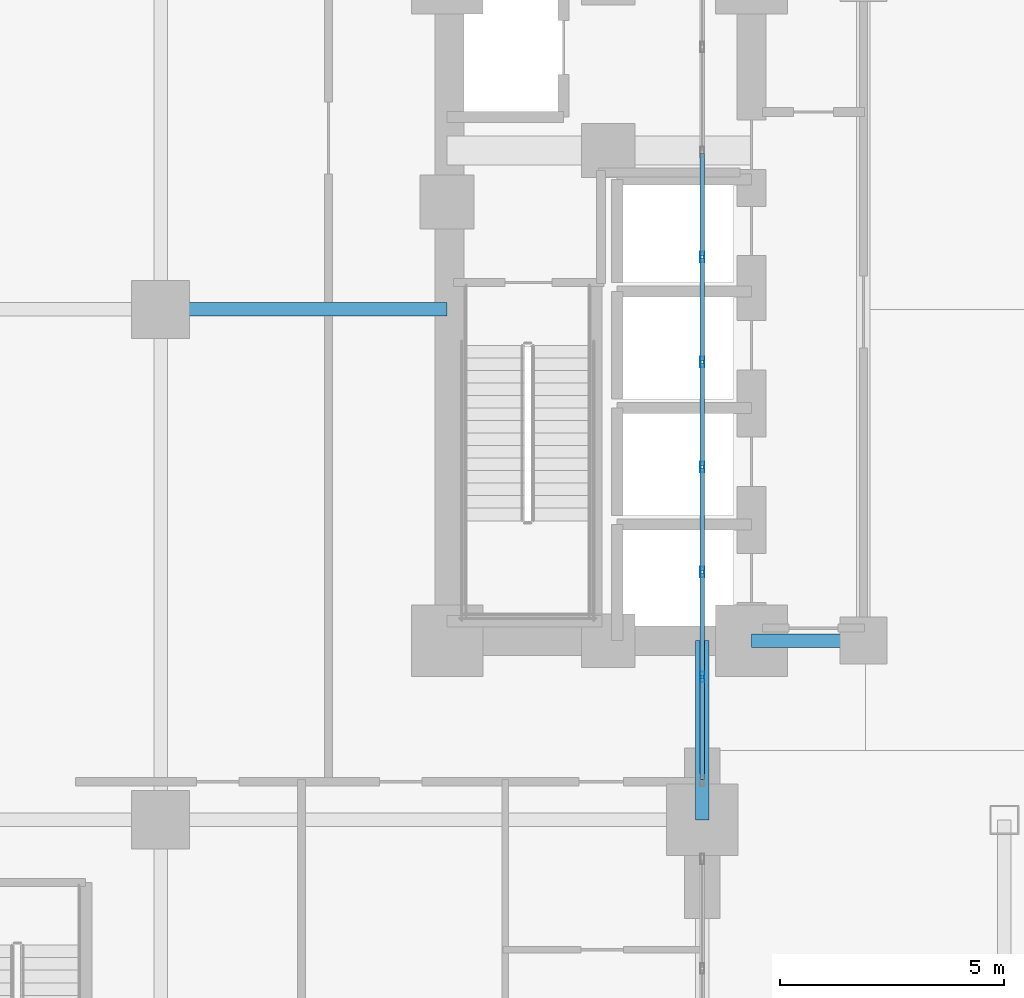
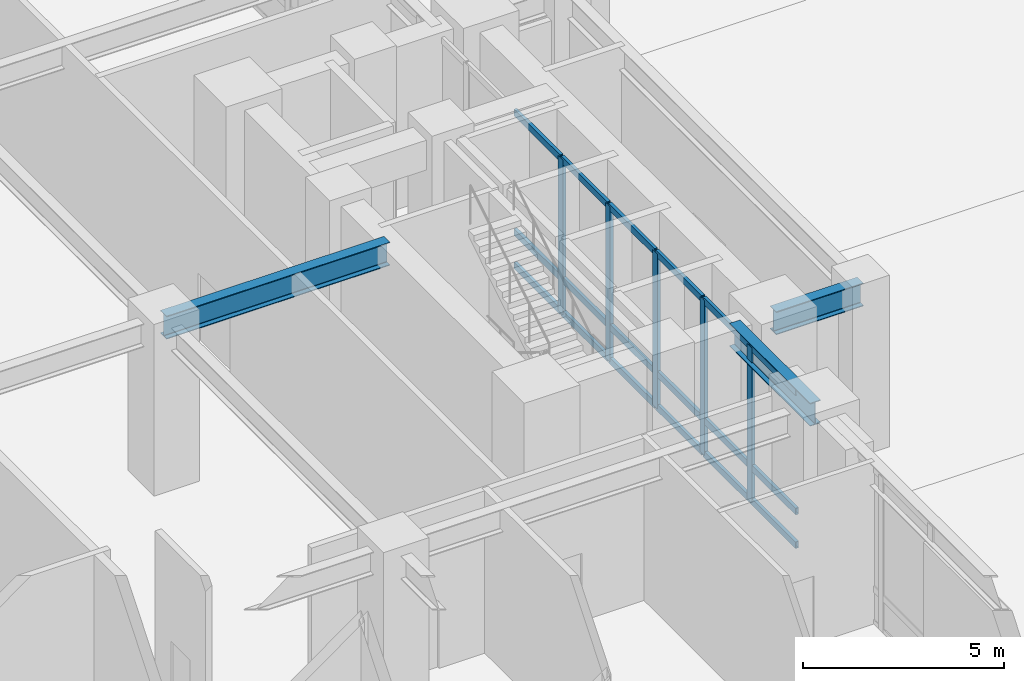
# One storey, part 5 of 23: 23 members, 3 beams, 1 element without a shape of its own.
"""IFC4 building model written with IfcOpenShell, lengths in metres."""

from ifc_helpers import new_model, si_unit, direction, frame, origin, origin_2d, place, context, subcontext, project, spatial, hollow_rectangle, i_section, extrude, material, layer, layer_set, material_profile, profile_set, type_object, element, aggregate, save


model = new_model("IFC4")

# Units and contexts
model_context = context("Model", 3, precision=1e-05, world=origin(), true_north=direction((0.0, 1.0)))
body_context = subcontext(model_context, "Body", "Model", "MODEL_VIEW")
ifc_project = project(units=[si_unit("LENGTHUNIT", "METRE"), si_unit("AREAUNIT", "SQUARE_METRE"), si_unit("VOLUMEUNIT", "CUBIC_METRE"), si_unit("PLANEANGLEUNIT", "RADIAN"), si_unit("MASSUNIT", "GRAM", prefix="KILO")], contexts=[model_context])

# Site, building, storey
site_placement = place(None, origin())
site = spatial("IfcSite", under=ifc_project, at=site_placement, CompositionType="ELEMENT")
building_placement = place(site_placement, origin())
building = spatial("IfcBuilding", under=site, at=building_placement, Name="Voryun Gate Residences", CompositionType="ELEMENT")
storey_placement = place(building_placement, origin())
storey = spatial("IfcBuildingStorey", under=building, at=storey_placement, Name="L00", CompositionType="ELEMENT", Elevation=0.0)

# Beams
ifc_material_1 = material(Name="Steel SM355", Category="steel")
ifc_material_profile_1 = material_profile(ifc_material_1, i_section(OverallWidth=0.300048828125, OverallDepth=0.699951171875, WebThickness=0.012939453125, FlangeThickness=0.02392578125, FilletRadius=0.01806640625, at=origin_2d()), Name="H-700x300x13x24")
ifc_profile_set_1 = profile_set([ifc_material_profile_1], Name="Steel SM355")
beam_type = type_object("IfcBeamType", Name="BM_GIRD_700", PredefinedType="USERDEFINED", material=ifc_profile_set_1)
beam_1_placement = place(storey_placement, frame((-12.39990234375, -7.39990234375, 4.570068359375), z_axis=(1.0, 0.0, 0.0), x_axis=(0.0, 1.0, 0.0)))
element("IfcBeam", 1, at=beam_1_placement, inside=storey, type_object=beam_type, Name="BM-L00-CLRX-CLR-WS", ObjectType="GIRDER", PredefinedType="USERDEFINED", context=body_context, shape_type="SweptSolid", body=[
    extrude(i_section(OverallWidth=0.300048828125, OverallDepth=0.699951171875, WebThickness=0.012939453125, FlangeThickness=0.02392578125, FilletRadius=0.01806640625, at=origin_2d()), origin(), (0.0, 0.0, 1.0), 2.5),
])
beam_2_placement = place(storey_placement, frame((-25.60009765625, 0.0, 4.570068359375), z_axis=(1.0, 0.0, 0.0), x_axis=(0.0, 1.0, 0.0)))
element("IfcBeam", 2, at=beam_2_placement, inside=storey, type_object=beam_type, Name="BM-L00-PWX-+0.0-1", ObjectType="GIRDER", PredefinedType="USERDEFINED", context=body_context, shape_type="SweptSolid", body=[
    extrude(i_section(OverallWidth=0.300048828125, OverallDepth=0.699951171875, WebThickness=0.012939453125, FlangeThickness=0.02392578125, FilletRadius=0.01806640625, at=origin_2d()), origin(), (0.0, 0.0, 1.0), 6.400146484375),
])
beam_3_placement = place(storey_placement, frame((-13.5, -11.39990234375, 4.570068359375), z_axis=(0.0, 1.0, 0.0), x_axis=(-1.0, 0.0, 0.0)))
element("IfcBeam", 3, at=beam_3_placement, inside=storey, type_object=beam_type, Name="BM-L00-PWYA--11.4", ObjectType="GIRDER", PredefinedType="USERDEFINED", context=body_context, shape_type="SweptSolid", body=[
    extrude(i_section(OverallWidth=0.300048828125, OverallDepth=0.699951171875, WebThickness=0.012939453125, FlangeThickness=0.02392578125, FilletRadius=0.01806640625, at=origin_2d()), origin(), (0.0, 0.0, 1.0), 4.0),
])

# Curtain wall, members
ifc_material_2 = material(Name="Anodised aluminium", Category="aluminium")
ifc_layer = layer(ifc_material_2, 0.239990234375, Name="CW_SYS_ARCH_DARK_GLASS")
ifc_layer_set = layer_set([ifc_layer], Name="Anodised aluminium")
curtain_wall_type = type_object("IfcCurtainWallType", Name="CW_SYS_ARCH_DARK_GLASS", PredefinedType="NOTDEFINED", material=ifc_layer_set)
curtain_wall_placement = place(storey_placement, origin())
curtain_wall = element("IfcCurtainWall", 4, at=curtain_wall_placement, inside=storey, type_object=curtain_wall_type, Name="Curtain wall CW2-L00-WP-M", PredefinedType="NOTDEFINED")
ifc_material_3 = material(Name="Anodised aluminium", Category="aluminium")
ifc_material_profile_2 = material_profile(ifc_material_3, hollow_rectangle(XDim=0.090087890625, YDim=0.239990234375, WallThickness=0.006103515625, at=origin_2d()), Name="ALU-MULL-240x90x6")
ifc_profile_set_2 = profile_set([ifc_material_profile_2], Name="Anodised aluminium")
member_type_1 = type_object("IfcMemberType", Name="CW_MULL_ARCH", PredefinedType="MULLION", material=ifc_profile_set_2)
member_1_placement = place(storey_placement, frame((-13.5, -8.20947265625, 0.0), z_axis=(0.0, 0.0, 1.0), x_axis=(-1.0, 0.0, 0.0)))
member_1 = element("IfcMember", 5, at=member_1_placement, type_object=member_type_1, Name="CW2 mullion 2", PredefinedType="MULLION", context=body_context, shape_type="SweptSolid", body=[
    extrude(hollow_rectangle(XDim=0.090087890625, YDim=0.239990234375, WallThickness=0.006103515625, at=origin_2d()), origin(), (0.0, 0.0, 1.0), 4.699951171875),
])
member_2_placement = place(storey_placement, frame((-13.5, -5.86376953125, 0.0), z_axis=(0.0, 0.0, 1.0), x_axis=(-1.0, 0.0, 0.0)))
member_2 = element("IfcMember", 6, at=member_2_placement, type_object=member_type_1, Name="CW2 mullion 3", PredefinedType="MULLION", context=body_context, shape_type="SweptSolid", body=[
    extrude(hollow_rectangle(XDim=0.090087890625, YDim=0.239990234375, WallThickness=0.006103515625, at=origin_2d()), origin(), (0.0, 0.0, 1.0), 4.699951171875),
])
member_3_placement = place(storey_placement, frame((-13.5, -3.518310546875, 0.0), z_axis=(0.0, 0.0, 1.0), x_axis=(-1.0, 0.0, 0.0)))
member_3 = element("IfcMember", 7, at=member_3_placement, type_object=member_type_1, Name="CW2 mullion 4", PredefinedType="MULLION", context=body_context, shape_type="SweptSolid", body=[
    extrude(hollow_rectangle(XDim=0.090087890625, YDim=0.239990234375, WallThickness=0.006103515625, at=origin_2d()), origin(), (0.0, 0.0, 1.0), 4.699951171875),
])
member_4_placement = place(storey_placement, frame((-13.5, -1.1728515625, 0.0), z_axis=(0.0, 0.0, 1.0), x_axis=(-1.0, 0.0, 0.0)))
member_4 = element("IfcMember", 8, at=member_4_placement, type_object=member_type_1, Name="CW2 mullion 5", PredefinedType="MULLION", context=body_context, shape_type="SweptSolid", body=[
    extrude(hollow_rectangle(XDim=0.090087890625, YDim=0.239990234375, WallThickness=0.006103515625, at=origin_2d()), origin(), (0.0, 0.0, 1.0), 4.699951171875),
])
member_5_placement = place(storey_placement, frame((-13.5, 1.1728515625, 0.0), z_axis=(0.0, 0.0, 1.0), x_axis=(-1.0, 0.0, 0.0)))
member_5 = element("IfcMember", 9, at=member_5_placement, type_object=member_type_1, Name="CW2 mullion 6", PredefinedType="MULLION", context=body_context, shape_type="SweptSolid", body=[
    extrude(hollow_rectangle(XDim=0.090087890625, YDim=0.239990234375, WallThickness=0.006103515625, at=origin_2d()), origin(), (0.0, 0.0, 1.0), 4.699951171875),
])
ifc_material_4 = material(Name="Anodised aluminium", Category="aluminium")
ifc_material_profile_3 = material_profile(ifc_material_4, hollow_rectangle(XDim=0.090087890625, YDim=0.199951171875, WallThickness=0.006103515625, at=origin_2d()), Name="ALU-TRAN-200x90x6")
ifc_profile_set_3 = profile_set([ifc_material_profile_3], Name="Anodised aluminium")
member_type_2 = type_object("IfcMemberType", Name="CW_TRAN_ARCH", PredefinedType="USERDEFINED", material=ifc_profile_set_3)
member_6_placement = place(storey_placement, frame((-13.5, -10.4951171875, 0.030029296875), z_axis=(0.0, 1.0, 0.0), x_axis=(-1.0, 0.0, 0.0)))
member_6 = element("IfcMember", 10, at=member_6_placement, type_object=member_type_2, Name="CW2 transom 1.1", ObjectType="TRANSOM", PredefinedType="USERDEFINED", context=body_context, shape_type="SweptSolid", body=[
    extrude(hollow_rectangle(XDim=0.090087890625, YDim=0.199951171875, WallThickness=0.006103515625, at=origin_2d()), origin(), (0.0, 0.0, 1.0), 2.255615234375),
])
member_7_placement = place(storey_placement, frame((-13.5, -10.4951171875, 1.050048828125), z_axis=(0.0, 1.0, 0.0), x_axis=(-1.0, 0.0, 0.0)))
member_7 = element("IfcMember", 11, at=member_7_placement, type_object=member_type_2, Name="CW2 transom 1.2", ObjectType="TRANSOM", PredefinedType="USERDEFINED", context=body_context, shape_type="SweptSolid", body=[
    extrude(hollow_rectangle(XDim=0.090087890625, YDim=0.199951171875, WallThickness=0.006103515625, at=origin_2d()), origin(), (0.0, 0.0, 1.0), 2.255615234375),
])
member_8_placement = place(storey_placement, frame((-13.5, -10.4951171875, 4.669921875), z_axis=(0.0, 1.0, 0.0), x_axis=(-1.0, 0.0, 0.0)))
member_8 = element("IfcMember", 12, at=member_8_placement, type_object=member_type_2, Name="CW2 transom 1.3", ObjectType="TRANSOM", PredefinedType="USERDEFINED", context=body_context, shape_type="SweptSolid", body=[
    extrude(hollow_rectangle(XDim=0.090087890625, YDim=0.199951171875, WallThickness=0.006103515625, at=origin_2d()), origin(), (0.0, 0.0, 1.0), 2.255615234375),
])
member_9_placement = place(storey_placement, frame((-13.5, -8.179443359375, 0.030029296875), z_axis=(0.0, 1.0, 0.0), x_axis=(-1.0, 0.0, 0.0)))
member_9 = element("IfcMember", 13, at=member_9_placement, type_object=member_type_2, Name="CW2 transom 2.1", ObjectType="TRANSOM", PredefinedType="USERDEFINED", context=body_context, shape_type="SweptSolid", body=[
    extrude(hollow_rectangle(XDim=0.090087890625, YDim=0.199951171875, WallThickness=0.006103515625, at=origin_2d()), origin(), (0.0, 0.0, 1.0), 2.28564453125),
])
member_10_placement = place(storey_placement, frame((-13.5, -8.179443359375, 1.050048828125), z_axis=(0.0, 1.0, 0.0), x_axis=(-1.0, 0.0, 0.0)))
member_10 = element("IfcMember", 14, at=member_10_placement, type_object=member_type_2, Name="CW2 transom 2.2", ObjectType="TRANSOM", PredefinedType="USERDEFINED", context=body_context, shape_type="SweptSolid", body=[
    extrude(hollow_rectangle(XDim=0.090087890625, YDim=0.199951171875, WallThickness=0.006103515625, at=origin_2d()), origin(), (0.0, 0.0, 1.0), 2.28564453125),
])
member_11_placement = place(storey_placement, frame((-13.5, -8.179443359375, 4.669921875), z_axis=(0.0, 1.0, 0.0), x_axis=(-1.0, 0.0, 0.0)))
member_11 = element("IfcMember", 15, at=member_11_placement, type_object=member_type_2, Name="CW2 transom 2.3", ObjectType="TRANSOM", PredefinedType="USERDEFINED", context=body_context, shape_type="SweptSolid", body=[
    extrude(hollow_rectangle(XDim=0.090087890625, YDim=0.199951171875, WallThickness=0.006103515625, at=origin_2d()), origin(), (0.0, 0.0, 1.0), 2.28564453125),
])
member_12_placement = place(storey_placement, frame((-13.5, -5.833984375, 0.030029296875), z_axis=(0.0, 1.0, 0.0), x_axis=(-1.0, 0.0, 0.0)))
member_12 = element("IfcMember", 16, at=member_12_placement, type_object=member_type_2, Name="CW2 transom 3.1", ObjectType="TRANSOM", PredefinedType="USERDEFINED", context=body_context, shape_type="SweptSolid", body=[
    extrude(hollow_rectangle(XDim=0.090087890625, YDim=0.199951171875, WallThickness=0.006103515625, at=origin_2d()), origin(), (0.0, 0.0, 1.0), 2.28564453125),
])
member_13_placement = place(storey_placement, frame((-13.5, -5.833984375, 1.050048828125), z_axis=(0.0, 1.0, 0.0), x_axis=(-1.0, 0.0, 0.0)))
member_13 = element("IfcMember", 17, at=member_13_placement, type_object=member_type_2, Name="CW2 transom 3.2", ObjectType="TRANSOM", PredefinedType="USERDEFINED", context=body_context, shape_type="SweptSolid", body=[
    extrude(hollow_rectangle(XDim=0.090087890625, YDim=0.199951171875, WallThickness=0.006103515625, at=origin_2d()), origin(), (0.0, 0.0, 1.0), 2.28564453125),
])
member_14_placement = place(storey_placement, frame((-13.5, -5.833984375, 4.669921875), z_axis=(0.0, 1.0, 0.0), x_axis=(-1.0, 0.0, 0.0)))
member_14 = element("IfcMember", 18, at=member_14_placement, type_object=member_type_2, Name="CW2 transom 3.3", ObjectType="TRANSOM", PredefinedType="USERDEFINED", context=body_context, shape_type="SweptSolid", body=[
    extrude(hollow_rectangle(XDim=0.090087890625, YDim=0.199951171875, WallThickness=0.006103515625, at=origin_2d()), origin(), (0.0, 0.0, 1.0), 2.28564453125),
])
member_15_placement = place(storey_placement, frame((-13.5, -3.48828125, 0.030029296875), z_axis=(0.0, 1.0, 0.0), x_axis=(-1.0, 0.0, 0.0)))
member_15 = element("IfcMember", 19, at=member_15_placement, type_object=member_type_2, Name="CW2 transom 4.1", ObjectType="TRANSOM", PredefinedType="USERDEFINED", context=body_context, shape_type="SweptSolid", body=[
    extrude(hollow_rectangle(XDim=0.090087890625, YDim=0.199951171875, WallThickness=0.006103515625, at=origin_2d()), origin(), (0.0, 0.0, 1.0), 2.285400390625),
])
member_16_placement = place(storey_placement, frame((-13.5, -3.48828125, 1.050048828125), z_axis=(0.0, 1.0, 0.0), x_axis=(-1.0, 0.0, 0.0)))
member_16 = element("IfcMember", 20, at=member_16_placement, type_object=member_type_2, Name="CW2 transom 4.2", ObjectType="TRANSOM", PredefinedType="USERDEFINED", context=body_context, shape_type="SweptSolid", body=[
    extrude(hollow_rectangle(XDim=0.090087890625, YDim=0.199951171875, WallThickness=0.006103515625, at=origin_2d()), origin(), (0.0, 0.0, 1.0), 2.285400390625),
])
member_17_placement = place(storey_placement, frame((-13.5, -3.48828125, 4.669921875), z_axis=(0.0, 1.0, 0.0), x_axis=(-1.0, 0.0, 0.0)))
member_17 = element("IfcMember", 21, at=member_17_placement, type_object=member_type_2, Name="CW2 transom 4.3", ObjectType="TRANSOM", PredefinedType="USERDEFINED", context=body_context, shape_type="SweptSolid", body=[
    extrude(hollow_rectangle(XDim=0.090087890625, YDim=0.199951171875, WallThickness=0.006103515625, at=origin_2d()), origin(), (0.0, 0.0, 1.0), 2.285400390625),
])
member_18_placement = place(storey_placement, frame((-13.5, -1.142822265625, 0.030029296875), z_axis=(0.0, 1.0, 0.0), x_axis=(-1.0, 0.0, 0.0)))
member_18 = element("IfcMember", 22, at=member_18_placement, type_object=member_type_2, Name="CW2 transom 5.1", ObjectType="TRANSOM", PredefinedType="USERDEFINED", context=body_context, shape_type="SweptSolid", body=[
    extrude(hollow_rectangle(XDim=0.090087890625, YDim=0.199951171875, WallThickness=0.006103515625, at=origin_2d()), origin(), (0.0, 0.0, 1.0), 2.28564453125),
])
member_19_placement = place(storey_placement, frame((-13.5, -1.142822265625, 1.050048828125), z_axis=(0.0, 1.0, 0.0), x_axis=(-1.0, 0.0, 0.0)))
member_19 = element("IfcMember", 23, at=member_19_placement, type_object=member_type_2, Name="CW2 transom 5.2", ObjectType="TRANSOM", PredefinedType="USERDEFINED", context=body_context, shape_type="SweptSolid", body=[
    extrude(hollow_rectangle(XDim=0.090087890625, YDim=0.199951171875, WallThickness=0.006103515625, at=origin_2d()), origin(), (0.0, 0.0, 1.0), 2.28564453125),
])
member_20_placement = place(storey_placement, frame((-13.5, -1.142822265625, 4.669921875), z_axis=(0.0, 1.0, 0.0), x_axis=(-1.0, 0.0, 0.0)))
member_20 = element("IfcMember", 24, at=member_20_placement, type_object=member_type_2, Name="CW2 transom 5.3", ObjectType="TRANSOM", PredefinedType="USERDEFINED", context=body_context, shape_type="SweptSolid", body=[
    extrude(hollow_rectangle(XDim=0.090087890625, YDim=0.199951171875, WallThickness=0.006103515625, at=origin_2d()), origin(), (0.0, 0.0, 1.0), 2.28564453125),
])
member_21_placement = place(storey_placement, frame((-13.5, 1.202880859375, 0.030029296875), z_axis=(0.0, 1.0, 0.0), x_axis=(-1.0, 0.0, 0.0)))
member_21 = element("IfcMember", 25, at=member_21_placement, type_object=member_type_2, Name="CW2 transom 6.1", ObjectType="TRANSOM", PredefinedType="USERDEFINED", context=body_context, shape_type="SweptSolid", body=[
    extrude(hollow_rectangle(XDim=0.090087890625, YDim=0.199951171875, WallThickness=0.006103515625, at=origin_2d()), origin(), (0.0, 0.0, 1.0), 2.285400390625),
])
member_22_placement = place(storey_placement, frame((-13.5, 1.202880859375, 1.050048828125), z_axis=(0.0, 1.0, 0.0), x_axis=(-1.0, 0.0, 0.0)))
member_22 = element("IfcMember", 26, at=member_22_placement, type_object=member_type_2, Name="CW2 transom 6.2", ObjectType="TRANSOM", PredefinedType="USERDEFINED", context=body_context, shape_type="SweptSolid", body=[
    extrude(hollow_rectangle(XDim=0.090087890625, YDim=0.199951171875, WallThickness=0.006103515625, at=origin_2d()), origin(), (0.0, 0.0, 1.0), 2.285400390625),
])
member_23_placement = place(storey_placement, frame((-13.5, 1.202880859375, 4.669921875), z_axis=(0.0, 1.0, 0.0), x_axis=(-1.0, 0.0, 0.0)))
member_23 = element("IfcMember", 27, at=member_23_placement, type_object=member_type_2, Name="CW2 transom 6.3", ObjectType="TRANSOM", PredefinedType="USERDEFINED", context=body_context, shape_type="SweptSolid", body=[
    extrude(hollow_rectangle(XDim=0.090087890625, YDim=0.199951171875, WallThickness=0.006103515625, at=origin_2d()), origin(), (0.0, 0.0, 1.0), 2.285400390625),
])
aggregate(curtain_wall, [member_1, member_2, member_3, member_4, member_5, member_6, member_7, member_8, member_9, member_10, member_11, member_12, member_13, member_14, member_15, member_16, member_17, member_18, member_19, member_20, member_21, member_22, member_23])

save(model, "model.ifc")
